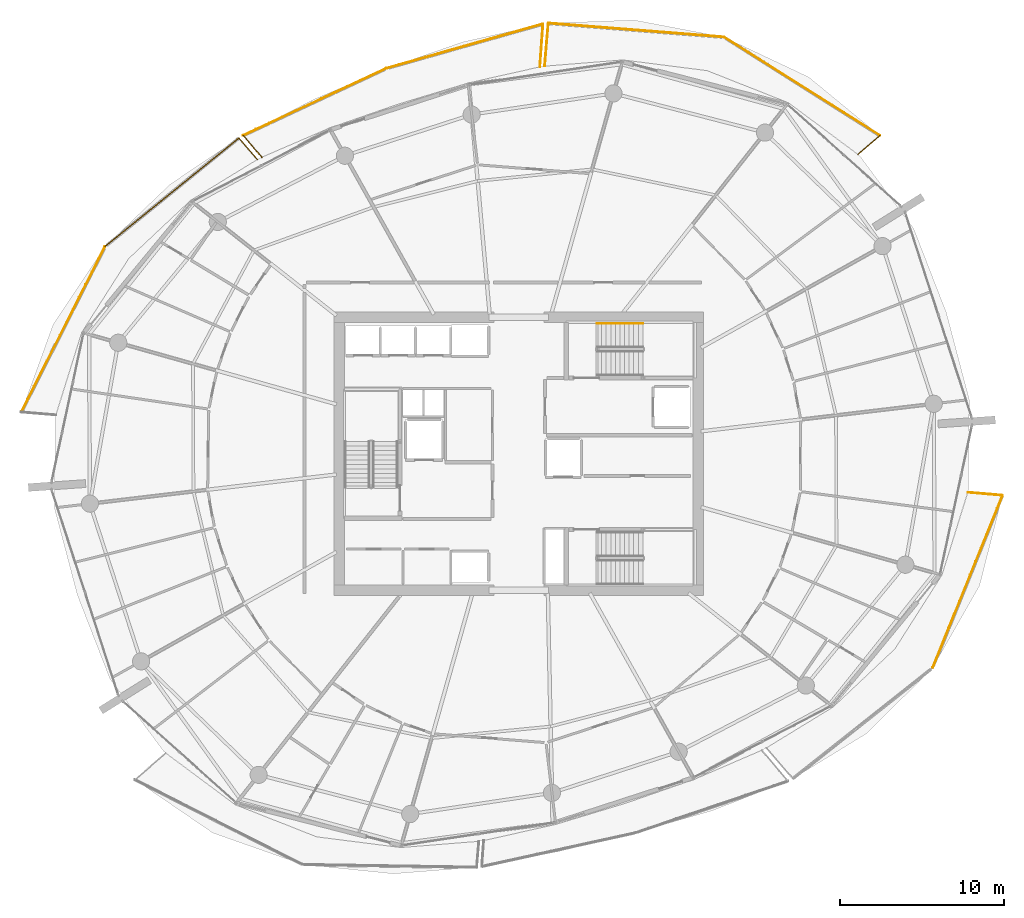
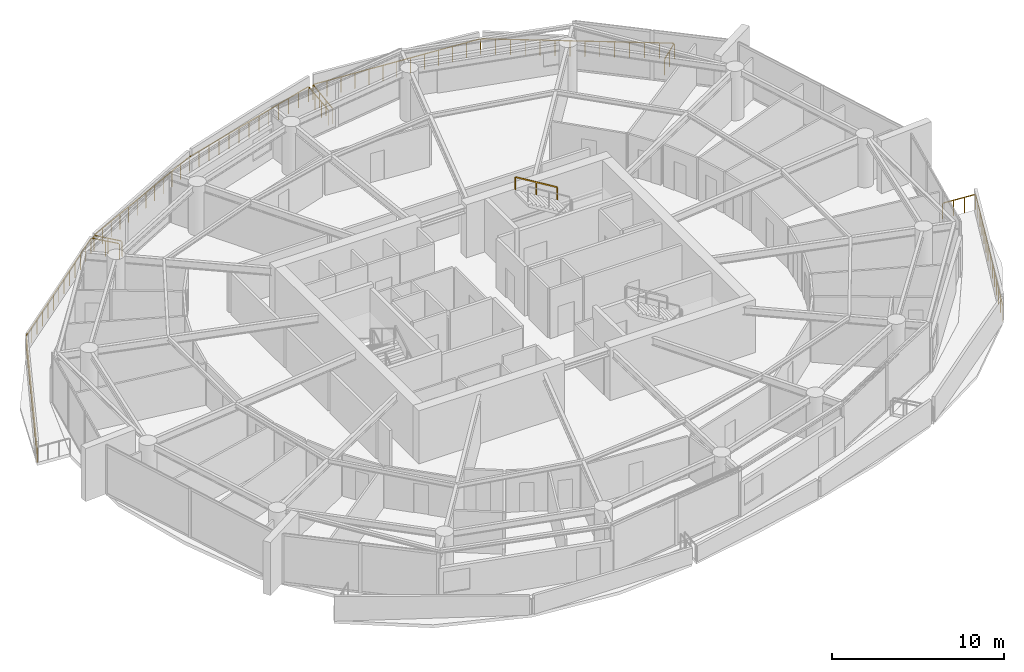
# One storey, part 20 of 20: 14 railings.
"""IFC4 building model written with IfcOpenShell, lengths in metres."""

from ifc_helpers import new_model, si_unit, direction, frame, origin, origin_2d, place, context, subcontext, project, spatial, rectangle, extrude, material, type_object, element, save


model = new_model("IFC4")

# Units and contexts
model_context = context("Model", 3, precision=1e-05, world=origin(), true_north=direction((0.0, 1.0)))
body_context = subcontext(model_context, "Body", "Model", "MODEL_VIEW")
ifc_project = project(units=[si_unit("LENGTHUNIT", "METRE"), si_unit("AREAUNIT", "SQUARE_METRE"), si_unit("VOLUMEUNIT", "CUBIC_METRE"), si_unit("PLANEANGLEUNIT", "RADIAN"), si_unit("MASSUNIT", "GRAM", prefix="KILO")], contexts=[model_context])

# Site, building, storey
site_placement = place(None, origin())
site = spatial("IfcSite", under=ifc_project, at=site_placement, CompositionType="ELEMENT")
building_placement = place(site_placement, origin())
building = spatial("IfcBuilding", under=site, at=building_placement, Name="Kazma Halo Residences", CompositionType="ELEMENT")
storey_placement = place(building_placement, frame((0.0, 0.0, 217.800048828125)))
storey = spatial("IfcBuildingStorey", under=building, at=storey_placement, Name="L55", CompositionType="ELEMENT", Elevation=217.800048828125)

# Railings
ifc_material_1 = material(Name="Aluminium AW-6063 T6 Brushed Cap Rail", Category="aluminium")
railing_type_1 = type_object("IfcRailingType", Name="RLG-BAL-CAP-1120", PredefinedType="BALUSTRADE", material=ifc_material_1)
railing_1_placement = place(storey_placement, frame((69.130126953125, 60.271240234375, 0.0)))
element("IfcRailing", 1, at=railing_1_placement, inside=storey, type_object=railing_type_1, Name="L55 NE wave balcony guard 1", PredefinedType="BALUSTRADE", context=body_context, shape_type="SweptSolid", body=[
    extrude(rectangle(XDim=0.050048828125, YDim=0.050048828125, at=origin_2d()), frame((0.0322265625, 0.02783203125, 1.09521484375), z_axis=(0.756426307601, 0.654078925795, 0.0), x_axis=(-0.654078925795, 0.756426307601, 0.0)), (0.0, 0.0, 1.0), 1.6728515625),
    extrude(rectangle(XDim=0.0400390625, YDim=0.0400390625, at=origin_2d()), origin(), (0.0, 0.0, 1.0), 1.05810546875),
    extrude(rectangle(XDim=0.0400390625, YDim=0.0400390625, at=origin_2d()), frame((0.6650390625, 0.574951171875, 0.0)), (0.0, 0.0, 1.0), 1.05810546875),
    extrude(rectangle(XDim=0.0400390625, YDim=0.0400390625, at=origin_2d()), frame((1.329833984375, 1.14990234375, 0.0)), (0.0, 0.0, 1.0), 1.05810546875),
])
railing_2_placement = place(storey_placement, frame((70.4599609375, 61.421142578125, 0.0)))
element("IfcRailing", 2, at=railing_2_placement, inside=storey, type_object=railing_type_1, Name="L55 NE wave balcony guard 2", PredefinedType="BALUSTRADE", context=body_context, shape_type="SweptSolid", body=[
    extrude(rectangle(XDim=0.050048828125, YDim=0.050048828125, at=origin_2d()), frame((-0.035888671875, 0.022705078125, 1.09521484375), z_axis=(-0.845271598737, 0.53433690156, 0.0), x_axis=(-0.53433690156, -0.845271598737, 0.0)), (0.0, 0.0, 1.0), 11.157958984375),
    extrude(rectangle(XDim=0.0400390625, YDim=0.0400390625, at=origin_2d()), origin(), (0.0, 0.0, 1.0), 1.05810546875),
    extrude(rectangle(XDim=0.0400390625, YDim=0.0400390625, at=origin_2d()), frame((-0.73095703125, 0.462158203125, 0.0)), (0.0, 0.0, 1.0), 1.05810546875),
    extrude(rectangle(XDim=0.0400390625, YDim=0.0400390625, at=origin_2d()), frame((-1.462158203125, 0.92431640625, 0.0)), (0.0, 0.0, 1.0), 1.05810546875),
    extrude(rectangle(XDim=0.0400390625, YDim=0.0400390625, at=origin_2d()), frame((-2.193115234375, 1.386474609375, 0.0)), (0.0, 0.0, 1.0), 1.05810546875),
    extrude(rectangle(XDim=0.0400390625, YDim=0.0400390625, at=origin_2d()), frame((-2.924072265625, 1.848388671875, 0.0)), (0.0, 0.0, 1.0), 1.05810546875),
    extrude(rectangle(XDim=0.0400390625, YDim=0.0400390625, at=origin_2d()), frame((-3.6552734375, 2.310546875, 0.0)), (0.0, 0.0, 1.0), 1.05810546875),
    extrude(rectangle(XDim=0.0400390625, YDim=0.0400390625, at=origin_2d()), frame((-4.38623046875, 2.772705078125, 0.0)), (0.0, 0.0, 1.0), 1.05810546875),
    extrude(rectangle(XDim=0.0400390625, YDim=0.0400390625, at=origin_2d()), frame((-5.1171875, 3.23486328125, 0.0)), (0.0, 0.0, 1.0), 1.05810546875),
    extrude(rectangle(XDim=0.0400390625, YDim=0.0400390625, at=origin_2d()), frame((-5.84814453125, 3.697021484375, 0.0)), (0.0, 0.0, 1.0), 1.05810546875),
    extrude(rectangle(XDim=0.0400390625, YDim=0.0400390625, at=origin_2d()), frame((-6.579345703125, 4.1591796875, 0.0)), (0.0, 0.0, 1.0), 1.05810546875),
    extrude(rectangle(XDim=0.0400390625, YDim=0.0400390625, at=origin_2d()), frame((-7.310302734375, 4.62109375, 0.0)), (0.0, 0.0, 1.0), 1.05810546875),
    extrude(rectangle(XDim=0.0400390625, YDim=0.0400390625, at=origin_2d()), frame((-8.041259765625, 5.083251953125, 0.0)), (0.0, 0.0, 1.0), 1.05810546875),
    extrude(rectangle(XDim=0.0400390625, YDim=0.0400390625, at=origin_2d()), frame((-8.7724609375, 5.54541015625, 0.0)), (0.0, 0.0, 1.0), 1.05810546875),
    extrude(rectangle(XDim=0.0400390625, YDim=0.0400390625, at=origin_2d()), frame((-9.50341796875, 6.007568359375, 0.0)), (0.0, 0.0, 1.0), 1.05810546875),
])
railing_3_placement = place(storey_placement, frame((60.95654296875, 67.4287109375, 0.0)))
element("IfcRailing", 3, at=railing_3_placement, inside=storey, type_object=railing_type_1, Name="L55 NE wave balcony guard 3", PredefinedType="BALUSTRADE", context=body_context, shape_type="SweptSolid", body=[
    extrude(rectangle(XDim=0.050048828125, YDim=0.050048828125, at=origin_2d()), frame((-0.04248046875, 0.00341796875, 1.09521484375), z_axis=(-0.99689777388, 0.078707232409, 0.0), x_axis=(-0.078707232409, -0.99689777388, 0.0)), (0.0, 0.0, 1.0), 10.67529296875),
    extrude(rectangle(XDim=0.0400390625, YDim=0.0400390625, at=origin_2d()), origin(), (0.0, 0.0, 1.0), 1.05810546875),
    extrude(rectangle(XDim=0.0400390625, YDim=0.0400390625, at=origin_2d()), frame((-0.89404296875, 0.070556640625, 0.0)), (0.0, 0.0, 1.0), 1.05810546875),
    extrude(rectangle(XDim=0.0400390625, YDim=0.0400390625, at=origin_2d()), frame((-1.787841796875, 0.14111328125, 0.0)), (0.0, 0.0, 1.0), 1.05810546875),
    extrude(rectangle(XDim=0.0400390625, YDim=0.0400390625, at=origin_2d()), frame((-2.681640625, 0.211669921875, 0.0)), (0.0, 0.0, 1.0), 1.05810546875),
    extrude(rectangle(XDim=0.0400390625, YDim=0.0400390625, at=origin_2d()), frame((-3.57568359375, 0.2822265625, 0.0)), (0.0, 0.0, 1.0), 1.05810546875),
    extrude(rectangle(XDim=0.0400390625, YDim=0.0400390625, at=origin_2d()), frame((-4.4697265625, 0.352783203125, 0.0)), (0.0, 0.0, 1.0), 1.05810546875),
    extrude(rectangle(XDim=0.0400390625, YDim=0.0400390625, at=origin_2d()), frame((-5.363525390625, 0.42333984375, 0.0)), (0.0, 0.0, 1.0), 1.05810546875),
    extrude(rectangle(XDim=0.0400390625, YDim=0.0400390625, at=origin_2d()), frame((-6.25732421875, 0.494140625, 0.0)), (0.0, 0.0, 1.0), 1.05810546875),
    extrude(rectangle(XDim=0.0400390625, YDim=0.0400390625, at=origin_2d()), frame((-7.1513671875, 0.564697265625, 0.0)), (0.0, 0.0, 1.0), 1.05810546875),
    extrude(rectangle(XDim=0.0400390625, YDim=0.0400390625, at=origin_2d()), frame((-8.04541015625, 0.63525390625, 0.0)), (0.0, 0.0, 1.0), 1.05810546875),
    extrude(rectangle(XDim=0.0400390625, YDim=0.0400390625, at=origin_2d()), frame((-8.939208984375, 0.705810546875, 0.0)), (0.0, 0.0, 1.0), 1.05810546875),
    extrude(rectangle(XDim=0.0400390625, YDim=0.0400390625, at=origin_2d()), frame((-9.8330078125, 0.7763671875, 0.0)), (0.0, 0.0, 1.0), 1.05810546875),
    extrude(rectangle(XDim=0.0400390625, YDim=0.0400390625, at=origin_2d()), frame((-10.72705078125, 0.846923828125, 0.0)), (0.0, 0.0, 1.0), 1.05810546875),
])
railing_4_placement = place(storey_placement, frame((50.2294921875, 68.275634765625, 0.0)))
element("IfcRailing", 4, at=railing_4_placement, inside=storey, type_object=railing_type_1, Name="L55 NE wave balcony guard 4", PredefinedType="BALUSTRADE", context=body_context, shape_type="SweptSolid", body=[
    extrude(rectangle(XDim=0.050048828125, YDim=0.050048828125, at=origin_2d()), frame((-0.003662109375, -0.04248046875, 1.09521484375), z_axis=(-0.084597784786, -0.996415181944, 0.0), x_axis=(0.996415181944, -0.084597784786, 0.0)), (0.0, 0.0, 1.0), 2.5439453125),
    extrude(rectangle(XDim=0.0400390625, YDim=0.0400390625, at=origin_2d()), origin(), (0.0, 0.0, 1.0), 1.05810546875),
    extrude(rectangle(XDim=0.0400390625, YDim=0.0400390625, at=origin_2d()), frame((-0.07421875, -0.873291015625, 0.0)), (0.0, 0.0, 1.0), 1.05810546875),
    extrude(rectangle(XDim=0.0400390625, YDim=0.0400390625, at=origin_2d()), frame((-0.148193359375, -1.746337890625, 0.0)), (0.0, 0.0, 1.0), 1.05810546875),
    extrude(rectangle(XDim=0.0400390625, YDim=0.0400390625, at=origin_2d()), frame((-0.222412109375, -2.61962890625, 0.0)), (0.0, 0.0, 1.0), 1.05810546875),
])
railing_5_placement = place(storey_placement, frame((49.713134765625, 65.612060546875, 0.0)))
element("IfcRailing", 5, at=railing_5_placement, inside=storey, type_object=railing_type_1, Name="L55 NNW wave balcony guard 1", PredefinedType="BALUSTRADE", context=body_context, shape_type="SweptSolid", body=[
    extrude(rectangle(XDim=0.050048828125, YDim=0.050048828125, at=origin_2d()), frame((0.003173828125, 0.04248046875, 1.09521484375), z_axis=(0.072463352725, 0.997371075634, 0.0), x_axis=(-0.997371075634, 0.072463352725, 0.0)), (0.0, 0.0, 1.0), 2.53955078125),
    extrude(rectangle(XDim=0.0400390625, YDim=0.0400390625, at=origin_2d()), origin(), (0.0, 0.0, 1.0), 1.05810546875),
    extrude(rectangle(XDim=0.0400390625, YDim=0.0400390625, at=origin_2d()), frame((0.0634765625, 0.87255859375, 0.0)), (0.0, 0.0, 1.0), 1.05810546875),
    extrude(rectangle(XDim=0.0400390625, YDim=0.0400390625, at=origin_2d()), frame((0.126708984375, 1.7451171875, 0.0)), (0.0, 0.0, 1.0), 1.05810546875),
    extrude(rectangle(XDim=0.0400390625, YDim=0.0400390625, at=origin_2d()), frame((0.190185546875, 2.61767578125, 0.0)), (0.0, 0.0, 1.0), 1.05810546875),
])
railing_6_placement = place(storey_placement, frame((49.9033203125, 68.229736328125, 0.0)))
element("IfcRailing", 6, at=railing_6_placement, inside=storey, type_object=railing_type_1, Name="L55 NNW wave balcony guard 2", PredefinedType="BALUSTRADE", context=body_context, shape_type="SweptSolid", body=[
    extrude(rectangle(XDim=0.050048828125, YDim=0.050048828125, at=origin_2d()), frame((-0.041015625, -0.01171875, 1.09521484375), z_axis=(-0.962080895035, -0.272764278102, 0.0), x_axis=(0.272764278102, -0.962080895035, 0.0)), (0.0, 0.0, 1.0), 9.837646484375),
    extrude(rectangle(XDim=0.0400390625, YDim=0.0400390625, at=origin_2d()), origin(), (0.0, 0.0, 1.0), 1.05810546875),
    extrude(rectangle(XDim=0.0400390625, YDim=0.0400390625, at=origin_2d()), frame((-0.79541015625, -0.2255859375, 0.0)), (0.0, 0.0, 1.0), 1.05810546875),
    extrude(rectangle(XDim=0.0400390625, YDim=0.0400390625, at=origin_2d()), frame((-1.591064453125, -0.451171875, 0.0)), (0.0, 0.0, 1.0), 1.05810546875),
    extrude(rectangle(XDim=0.0400390625, YDim=0.0400390625, at=origin_2d()), frame((-2.38671875, -0.6767578125, 0.0)), (0.0, 0.0, 1.0), 1.05810546875),
    extrude(rectangle(XDim=0.0400390625, YDim=0.0400390625, at=origin_2d()), frame((-3.18212890625, -0.902099609375, 0.0)), (0.0, 0.0, 1.0), 1.05810546875),
    extrude(rectangle(XDim=0.0400390625, YDim=0.0400390625, at=origin_2d()), frame((-3.9775390625, -1.127685546875, 0.0)), (0.0, 0.0, 1.0), 1.05810546875),
    extrude(rectangle(XDim=0.0400390625, YDim=0.0400390625, at=origin_2d()), frame((-4.773193359375, -1.353271484375, 0.0)), (0.0, 0.0, 1.0), 1.05810546875),
    extrude(rectangle(XDim=0.0400390625, YDim=0.0400390625, at=origin_2d()), frame((-5.56884765625, -1.578857421875, 0.0)), (0.0, 0.0, 1.0), 1.05810546875),
    extrude(rectangle(XDim=0.0400390625, YDim=0.0400390625, at=origin_2d()), frame((-6.3642578125, -1.804443359375, 0.0)), (0.0, 0.0, 1.0), 1.05810546875),
    extrude(rectangle(XDim=0.0400390625, YDim=0.0400390625, at=origin_2d()), frame((-7.15966796875, -2.02978515625, 0.0)), (0.0, 0.0, 1.0), 1.05810546875),
    extrude(rectangle(XDim=0.0400390625, YDim=0.0400390625, at=origin_2d()), frame((-7.955322265625, -2.25537109375, 0.0)), (0.0, 0.0, 1.0), 1.05810546875),
    extrude(rectangle(XDim=0.0400390625, YDim=0.0400390625, at=origin_2d()), frame((-8.7509765625, -2.48095703125, 0.0)), (0.0, 0.0, 1.0), 1.05810546875),
    extrude(rectangle(XDim=0.0400390625, YDim=0.0400390625, at=origin_2d()), frame((-9.54638671875, -2.70654296875, 0.0)), (0.0, 0.0, 1.0), 1.05810546875),
])
railing_7_placement = place(storey_placement, frame((40.35693359375, 65.523193359375, 0.0)))
element("IfcRailing", 7, at=railing_7_placement, inside=storey, type_object=railing_type_1, Name="L55 NNW wave balcony guard 3", PredefinedType="BALUSTRADE", context=body_context, shape_type="SweptSolid", body=[
    extrude(rectangle(XDim=0.050048828125, YDim=0.050048828125, at=origin_2d()), frame((-0.03857421875, -0.01806640625, 1.09521484375), z_axis=(-0.905658005757, -0.424008934585, 0.0), x_axis=(0.424008934585, -0.905658005757, 0.0)), (0.0, 0.0, 1.0), 9.572021484375),
    extrude(rectangle(XDim=0.0400390625, YDim=0.0400390625, at=origin_2d()), origin(), (0.0, 0.0, 1.0), 1.05810546875),
    extrude(rectangle(XDim=0.0400390625, YDim=0.0400390625, at=origin_2d()), frame((-0.795166015625, -0.372314453125, 0.0)), (0.0, 0.0, 1.0), 1.05810546875),
    extrude(rectangle(XDim=0.0400390625, YDim=0.0400390625, at=origin_2d()), frame((-1.590087890625, -0.744384765625, 0.0)), (0.0, 0.0, 1.0), 1.05810546875),
    extrude(rectangle(XDim=0.0400390625, YDim=0.0400390625, at=origin_2d()), frame((-2.38525390625, -1.11669921875, 0.0)), (0.0, 0.0, 1.0), 1.05810546875),
    extrude(rectangle(XDim=0.0400390625, YDim=0.0400390625, at=origin_2d()), frame((-3.180419921875, -1.489013671875, 0.0)), (0.0, 0.0, 1.0), 1.05810546875),
    extrude(rectangle(XDim=0.0400390625, YDim=0.0400390625, at=origin_2d()), frame((-3.9755859375, -1.861328125, 0.0)), (0.0, 0.0, 1.0), 1.05810546875),
    extrude(rectangle(XDim=0.0400390625, YDim=0.0400390625, at=origin_2d()), frame((-4.7705078125, -2.2333984375, 0.0)), (0.0, 0.0, 1.0), 1.05810546875),
    extrude(rectangle(XDim=0.0400390625, YDim=0.0400390625, at=origin_2d()), frame((-5.565673828125, -2.605712890625, 0.0)), (0.0, 0.0, 1.0), 1.05810546875),
    extrude(rectangle(XDim=0.0400390625, YDim=0.0400390625, at=origin_2d()), frame((-6.36083984375, -2.97802734375, 0.0)), (0.0, 0.0, 1.0), 1.05810546875),
    extrude(rectangle(XDim=0.0400390625, YDim=0.0400390625, at=origin_2d()), frame((-7.156005859375, -3.350341796875, 0.0)), (0.0, 0.0, 1.0), 1.05810546875),
    extrude(rectangle(XDim=0.0400390625, YDim=0.0400390625, at=origin_2d()), frame((-7.950927734375, -3.722412109375, 0.0)), (0.0, 0.0, 1.0), 1.05810546875),
    extrude(rectangle(XDim=0.0400390625, YDim=0.0400390625, at=origin_2d()), frame((-8.74609375, -4.0947265625, 0.0)), (0.0, 0.0, 1.0), 1.05810546875),
])
railing_8_placement = place(storey_placement, frame((31.61083984375, 61.428466796875, 0.0)))
element("IfcRailing", 8, at=railing_8_placement, inside=storey, type_object=railing_type_1, Name="L55 NNW wave balcony guard 4", PredefinedType="BALUSTRADE", context=body_context, shape_type="SweptSolid", body=[
    extrude(rectangle(XDim=0.050048828125, YDim=0.050048828125, at=origin_2d()), frame((0.02734375, -0.032470703125, 1.09521484375), z_axis=(0.644717584912, -0.764420849863, 0.0), x_axis=(0.764420849863, 0.644717584912, 0.0)), (0.0, 0.0, 1.0), 1.65869140625),
    extrude(rectangle(XDim=0.0400390625, YDim=0.0400390625, at=origin_2d()), origin(), (0.0, 0.0, 1.0), 1.05810546875),
    extrude(rectangle(XDim=0.0400390625, YDim=0.0400390625, at=origin_2d()), frame((0.56201171875, -0.66650390625, 0.0)), (0.0, 0.0, 1.0), 1.05810546875),
    extrude(rectangle(XDim=0.0400390625, YDim=0.0400390625, at=origin_2d()), frame((1.124267578125, -1.3330078125, 0.0)), (0.0, 0.0, 1.0), 1.05810546875),
])
railing_9_placement = place(storey_placement, frame((32.471435546875, 59.958251953125, 0.0)))
element("IfcRailing", 9, at=railing_9_placement, inside=storey, type_object=railing_type_1, Name="L55 NW wave balcony guard 1", PredefinedType="BALUSTRADE", context=body_context, shape_type="SweptSolid", body=[
    extrude(rectangle(XDim=0.050048828125, YDim=0.050048828125, at=origin_2d()), frame((-0.02783203125, 0.0322265625, 1.09521484375), z_axis=(-0.654099710021, 0.756408335061, 0.0), x_axis=(-0.756408335061, -0.654099710021, 0.0)), (0.0, 0.0, 1.0), 1.649658203125),
    extrude(rectangle(XDim=0.0400390625, YDim=0.0400390625, at=origin_2d()), origin(), (0.0, 0.0, 1.0), 1.05810546875),
    extrude(rectangle(XDim=0.0400390625, YDim=0.0400390625, at=origin_2d()), frame((-0.5673828125, 0.65625, 0.0)), (0.0, 0.0, 1.0), 1.05810546875),
    extrude(rectangle(XDim=0.0400390625, YDim=0.0400390625, at=origin_2d()), frame((-1.134765625, 1.312255859375, 0.0)), (0.0, 0.0, 1.0), 1.05810546875),
])
railing_10_placement = place(storey_placement, frame((31.336669921875, 61.2705078125, 0.0)))
element("IfcRailing", 10, at=railing_10_placement, inside=storey, type_object=railing_type_1, Name="L55 NW wave balcony guard 2", PredefinedType="BALUSTRADE", context=body_context, shape_type="SweptSolid", body=[
    extrude(rectangle(XDim=0.050048828125, YDim=0.050048828125, at=origin_2d()), frame((-0.032958984375, -0.02685546875, 1.09521484375), z_axis=(-0.77646847303, -0.630156100019, 0.0), x_axis=(0.630156100019, -0.77646847303, 0.0)), (0.0, 0.0, 1.0), 10.423828125),
    extrude(rectangle(XDim=0.0400390625, YDim=0.0400390625, at=origin_2d()), origin(), (0.0, 0.0, 1.0), 1.05810546875),
    extrude(rectangle(XDim=0.0400390625, YDim=0.0400390625, at=origin_2d()), frame((-0.679931640625, -0.5517578125, 0.0)), (0.0, 0.0, 1.0), 1.05810546875),
    extrude(rectangle(XDim=0.0400390625, YDim=0.0400390625, at=origin_2d()), frame((-1.35986328125, -1.103759765625, 0.0)), (0.0, 0.0, 1.0), 1.05810546875),
    extrude(rectangle(XDim=0.0400390625, YDim=0.0400390625, at=origin_2d()), frame((-2.0400390625, -1.655517578125, 0.0)), (0.0, 0.0, 1.0), 1.05810546875),
    extrude(rectangle(XDim=0.0400390625, YDim=0.0400390625, at=origin_2d()), frame((-2.719970703125, -2.20751953125, 0.0)), (0.0, 0.0, 1.0), 1.05810546875),
    extrude(rectangle(XDim=0.0400390625, YDim=0.0400390625, at=origin_2d()), frame((-3.39990234375, -2.75927734375, 0.0)), (0.0, 0.0, 1.0), 1.05810546875),
    extrude(rectangle(XDim=0.0400390625, YDim=0.0400390625, at=origin_2d()), frame((-4.080078125, -3.31103515625, 0.0)), (0.0, 0.0, 1.0), 1.05810546875),
    extrude(rectangle(XDim=0.0400390625, YDim=0.0400390625, at=origin_2d()), frame((-4.760009765625, -3.863037109375, 0.0)), (0.0, 0.0, 1.0), 1.05810546875),
    extrude(rectangle(XDim=0.0400390625, YDim=0.0400390625, at=origin_2d()), frame((-5.43994140625, -4.414794921875, 0.0)), (0.0, 0.0, 1.0), 1.05810546875),
    extrude(rectangle(XDim=0.0400390625, YDim=0.0400390625, at=origin_2d()), frame((-6.119873046875, -4.966796875, 0.0)), (0.0, 0.0, 1.0), 1.05810546875),
    extrude(rectangle(XDim=0.0400390625, YDim=0.0400390625, at=origin_2d()), frame((-6.7998046875, -5.5185546875, 0.0)), (0.0, 0.0, 1.0), 1.05810546875),
    extrude(rectangle(XDim=0.0400390625, YDim=0.0400390625, at=origin_2d()), frame((-7.47998046875, -6.070556640625, 0.0)), (0.0, 0.0, 1.0), 1.05810546875),
    extrude(rectangle(XDim=0.0400390625, YDim=0.0400390625, at=origin_2d()), frame((-8.159912109375, -6.622314453125, 0.0)), (0.0, 0.0, 1.0), 1.05810546875),
])
railing_11_placement = place(storey_placement, frame((23.1767578125, 54.648193359375, 0.0)))
element("IfcRailing", 11, at=railing_11_placement, inside=storey, type_object=railing_type_1, Name="L55 NW wave balcony guard 3", PredefinedType="BALUSTRADE", context=body_context, shape_type="SweptSolid", body=[
    extrude(rectangle(XDim=0.050048828125, YDim=0.050048828125, at=origin_2d()), frame((-0.019287109375, -0.037841796875, 1.09521484375), z_axis=(-0.45137268002, -0.892335533155, 0.0), x_axis=(0.892335533155, -0.45137268002, 0.0)), (0.0, 0.0, 1.0), 11.24267578125),
    extrude(rectangle(XDim=0.0400390625, YDim=0.0400390625, at=origin_2d()), origin(), (0.0, 0.0, 1.0), 1.05810546875),
    extrude(rectangle(XDim=0.0400390625, YDim=0.0400390625, at=origin_2d()), frame((-0.393310546875, -0.777587890625, 0.0)), (0.0, 0.0, 1.0), 1.05810546875),
    extrude(rectangle(XDim=0.0400390625, YDim=0.0400390625, at=origin_2d()), frame((-0.78662109375, -1.55517578125, 0.0)), (0.0, 0.0, 1.0), 1.05810546875),
    extrude(rectangle(XDim=0.0400390625, YDim=0.0400390625, at=origin_2d()), frame((-1.179931640625, -2.332763671875, 0.0)), (0.0, 0.0, 1.0), 1.05810546875),
    extrude(rectangle(XDim=0.0400390625, YDim=0.0400390625, at=origin_2d()), frame((-1.5732421875, -3.110107421875, 0.0)), (0.0, 0.0, 1.0), 1.05810546875),
    extrude(rectangle(XDim=0.0400390625, YDim=0.0400390625, at=origin_2d()), frame((-1.966552734375, -3.8876953125, 0.0)), (0.0, 0.0, 1.0), 1.05810546875),
    extrude(rectangle(XDim=0.0400390625, YDim=0.0400390625, at=origin_2d()), frame((-2.35986328125, -4.665283203125, 0.0)), (0.0, 0.0, 1.0), 1.05810546875),
    extrude(rectangle(XDim=0.0400390625, YDim=0.0400390625, at=origin_2d()), frame((-2.753173828125, -5.44287109375, 0.0)), (0.0, 0.0, 1.0), 1.05810546875),
    extrude(rectangle(XDim=0.0400390625, YDim=0.0400390625, at=origin_2d()), frame((-3.146484375, -6.220458984375, 0.0)), (0.0, 0.0, 1.0), 1.05810546875),
    extrude(rectangle(XDim=0.0400390625, YDim=0.0400390625, at=origin_2d()), frame((-3.539794921875, -6.998046875, 0.0)), (0.0, 0.0, 1.0), 1.05810546875),
    extrude(rectangle(XDim=0.0400390625, YDim=0.0400390625, at=origin_2d()), frame((-3.93310546875, -7.775390625, 0.0)), (0.0, 0.0, 1.0), 1.05810546875),
    extrude(rectangle(XDim=0.0400390625, YDim=0.0400390625, at=origin_2d()), frame((-4.326416015625, -8.552978515625, 0.0)), (0.0, 0.0, 1.0), 1.05810546875),
    extrude(rectangle(XDim=0.0400390625, YDim=0.0400390625, at=origin_2d()), frame((-4.7197265625, -9.33056640625, 0.0)), (0.0, 0.0, 1.0), 1.05810546875),
    extrude(rectangle(XDim=0.0400390625, YDim=0.0400390625, at=origin_2d()), frame((-5.113037109375, -10.108154296875, 0.0)), (0.0, 0.0, 1.0), 1.05810546875),
])
railing_12_placement = place(storey_placement, frame((73.679443359375, 28.915771484375, 0.0)))
element("IfcRailing", 12, at=railing_12_placement, inside=storey, type_object=railing_type_1, Name="L55 SE wave balcony guard 3", PredefinedType="BALUSTRADE", context=body_context, shape_type="SweptSolid", body=[
    extrude(rectangle(XDim=0.050048828125, YDim=0.050048828125, at=origin_2d()), frame((0.015869140625, 0.039306640625, 1.09521484375), z_axis=(0.375830136457, 0.92668857149, 0.0), x_axis=(-0.92668857149, 0.375830136457, 0.0)), (0.0, 0.0, 1.0), 11.29150390625),
    extrude(rectangle(XDim=0.0400390625, YDim=0.0400390625, at=origin_2d()), origin(), (0.0, 0.0, 1.0), 1.05810546875),
    extrude(rectangle(XDim=0.0400390625, YDim=0.0400390625, at=origin_2d()), frame((0.328857421875, 0.81103515625, 0.0)), (0.0, 0.0, 1.0), 1.05810546875),
    extrude(rectangle(XDim=0.0400390625, YDim=0.0400390625, at=origin_2d()), frame((0.65771484375, 1.621826171875, 0.0)), (0.0, 0.0, 1.0), 1.05810546875),
    extrude(rectangle(XDim=0.0400390625, YDim=0.0400390625, at=origin_2d()), frame((0.986572265625, 2.432861328125, 0.0)), (0.0, 0.0, 1.0), 1.05810546875),
    extrude(rectangle(XDim=0.0400390625, YDim=0.0400390625, at=origin_2d()), frame((1.315673828125, 3.243896484375, 0.0)), (0.0, 0.0, 1.0), 1.05810546875),
    extrude(rectangle(XDim=0.0400390625, YDim=0.0400390625, at=origin_2d()), frame((1.64453125, 4.0546875, 0.0)), (0.0, 0.0, 1.0), 1.05810546875),
    extrude(rectangle(XDim=0.0400390625, YDim=0.0400390625, at=origin_2d()), frame((1.973388671875, 4.86572265625, 0.0)), (0.0, 0.0, 1.0), 1.05810546875),
    extrude(rectangle(XDim=0.0400390625, YDim=0.0400390625, at=origin_2d()), frame((2.30224609375, 5.6767578125, 0.0)), (0.0, 0.0, 1.0), 1.05810546875),
    extrude(rectangle(XDim=0.0400390625, YDim=0.0400390625, at=origin_2d()), frame((2.631103515625, 6.48779296875, 0.0)), (0.0, 0.0, 1.0), 1.05810546875),
    extrude(rectangle(XDim=0.0400390625, YDim=0.0400390625, at=origin_2d()), frame((2.9599609375, 7.298583984375, 0.0)), (0.0, 0.0, 1.0), 1.05810546875),
    extrude(rectangle(XDim=0.0400390625, YDim=0.0400390625, at=origin_2d()), frame((3.2890625, 8.109619140625, 0.0)), (0.0, 0.0, 1.0), 1.05810546875),
    extrude(rectangle(XDim=0.0400390625, YDim=0.0400390625, at=origin_2d()), frame((3.617919921875, 8.920654296875, 0.0)), (0.0, 0.0, 1.0), 1.05810546875),
    extrude(rectangle(XDim=0.0400390625, YDim=0.0400390625, at=origin_2d()), frame((3.94677734375, 9.7314453125, 0.0)), (0.0, 0.0, 1.0), 1.05810546875),
    extrude(rectangle(XDim=0.0400390625, YDim=0.0400390625, at=origin_2d()), frame((4.275634765625, 10.54248046875, 0.0)), (0.0, 0.0, 1.0), 1.05810546875),
])
railing_13_placement = place(storey_placement, frame((77.955078125, 39.458251953125, 0.0)))
element("IfcRailing", 13, at=railing_13_placement, inside=storey, type_object=railing_type_1, Name="L55 SE wave balcony guard 4", PredefinedType="BALUSTRADE", context=body_context, shape_type="SweptSolid", body=[
    extrude(rectangle(XDim=0.050048828125, YDim=0.050048828125, at=origin_2d()), frame((-0.04248046875, 0.003662109375, 1.09521484375), z_axis=(-0.996420448737, 0.084535728182, 0.0), x_axis=(-0.084535728182, -0.996420448737, 0.0)), (0.0, 0.0, 1.0), 2.04345703125),
    extrude(rectangle(XDim=0.0400390625, YDim=0.0400390625, at=origin_2d()), origin(), (0.0, 0.0, 1.0), 1.05810546875),
    extrude(rectangle(XDim=0.0400390625, YDim=0.0400390625, at=origin_2d()), frame((-0.70703125, 0.06005859375, 0.0)), (0.0, 0.0, 1.0), 1.05810546875),
    extrude(rectangle(XDim=0.0400390625, YDim=0.0400390625, at=origin_2d()), frame((-1.413818359375, 0.119873046875, 0.0)), (0.0, 0.0, 1.0), 1.05810546875),
    extrude(rectangle(XDim=0.0400390625, YDim=0.0400390625, at=origin_2d()), frame((-2.120849609375, 0.179931640625, 0.0)), (0.0, 0.0, 1.0), 1.05810546875),
])
ifc_material_2 = material(Name="Brushed Stainless Steel", Category="steel")
railing_type_2 = type_object("IfcRailingType", Name="RLG-STAIR-HND-900", PredefinedType="HANDRAIL", material=ifc_material_2)
railing_14_placement = place(storey_placement, frame((56.0, 49.949951171875, 2.04541015625)))
element("IfcRailing", 14, at=railing_14_placement, inside=storey, type_object=railing_type_2, Name="L55 ST-02 stair handrail 2", PredefinedType="HANDRAIL", context=body_context, shape_type="SweptSolid", body=[
    extrude(rectangle(XDim=0.050048828125, YDim=0.050048828125, at=origin_2d()), frame((-0.036376953125, 0.0, 0.89697265625), z_axis=(-0.854169791009, 0.0, 0.51999420009), x_axis=(0.0, -1.0, 0.0)), (0.0, 0.0, 1.0), 3.193115234375),
    extrude(rectangle(XDim=0.0400390625, YDim=0.0400390625, at=origin_2d()), origin(), (0.0, 0.0, 1.0), 0.837890625),
    extrude(rectangle(XDim=0.0400390625, YDim=0.0400390625, at=origin_2d()), frame((-1.39990234375, 0.0, 0.852294921875)), (0.0, 0.0, 1.0), 0.837890625),
    extrude(rectangle(XDim=0.0400390625, YDim=0.0400390625, at=origin_2d()), frame((-2.800048828125, 0.0, 1.70458984375)), (0.0, 0.0, 1.0), 0.837890625),
])

save(model, "model.ifc")
